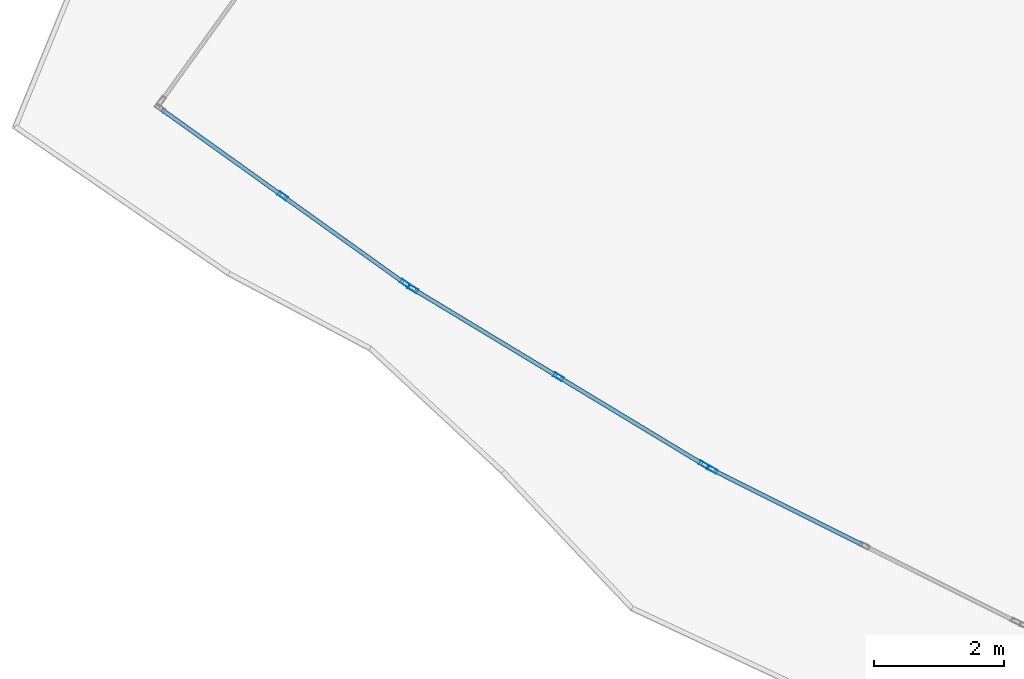
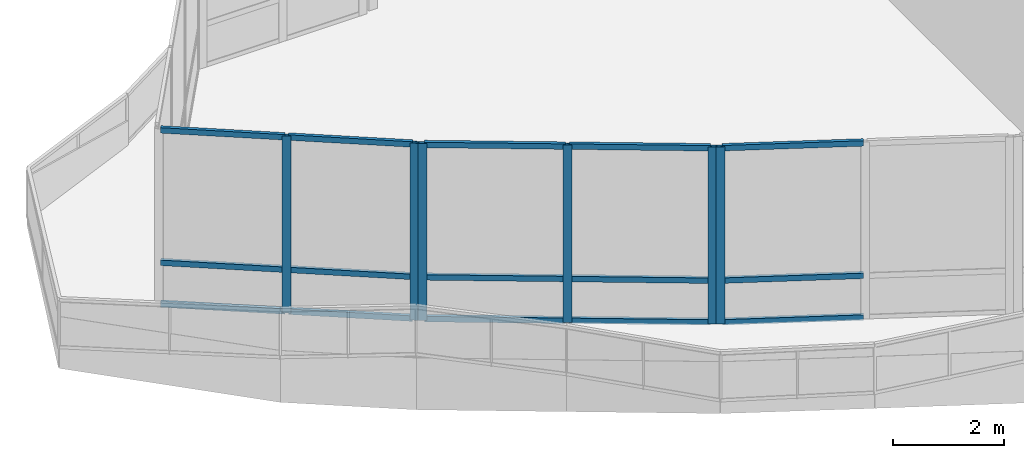
# One storey, part 12 of 184: 21 members, 3 elements without a shape of their own.
"""IFC4 building model written with IfcOpenShell, lengths in metres."""

from ifc_helpers import new_model, si_unit, direction, frame, origin, origin_2d, place, context, subcontext, project, spatial, hollow_rectangle, extrude, material, material_profile, profile_set, type_object, element, aggregate, save


model = new_model("IFC4")

# Units and contexts
model_context = context("Model", 3, precision=1e-05, world=origin(), true_north=direction((0.0, 1.0)))
body_context = subcontext(model_context, "Body", "Model", "MODEL_VIEW")
ifc_project = project(units=[si_unit("LENGTHUNIT", "METRE"), si_unit("AREAUNIT", "SQUARE_METRE"), si_unit("VOLUMEUNIT", "CUBIC_METRE"), si_unit("PLANEANGLEUNIT", "RADIAN"), si_unit("MASSUNIT", "GRAM", prefix="KILO")], contexts=[model_context])

# Site, building, storey
site_placement = place(None, origin())
site = spatial("IfcSite", under=ifc_project, at=site_placement, CompositionType="ELEMENT")
building_placement = place(site_placement, origin())
building = spatial("IfcBuilding", under=site, at=building_placement, Name="Selatvlak General Hospital", CompositionType="ELEMENT")
storey_placement = place(building_placement, frame((0.0, 0.0, 15.0)))
storey = spatial("IfcBuildingStorey", under=building, at=storey_placement, Name="L03", CompositionType="ELEMENT", Elevation=15.0)

# Curtain wall, member
ifc_material_1 = material(Name="Solar-control Low-E double glazing", Category="glass")
curtain_wall_type_1 = type_object("IfcCurtainWallType", Name="CW-CW-01", PredefinedType="USERDEFINED", material=ifc_material_1)
curtain_wall_1_placement = place(storey_placement, origin())
curtain_wall_1 = element("IfcCurtainWall", 1, at=curtain_wall_1_placement, inside=storey, type_object=curtain_wall_type_1, Name="Glazed facade curtain wall CW-L03-0433", ObjectType="UNITISED CURTAIN WALL", PredefinedType="USERDEFINED")
ifc_material_2 = material(Name="Dark anodised aluminium mullion", Category="aluminium")
ifc_material_profile_1 = material_profile(ifc_material_2, hollow_rectangle(XDim=0.06494140625, YDim=0.159912109375, WallThickness=0.00390625, at=origin_2d()), Name="AL-MUL 65x160x4")
ifc_profile_set_1 = profile_set([ifc_material_profile_1], Name="Dark anodised aluminium mullion")
member_type_1 = type_object("IfcMemberType", Name="CWM-01", PredefinedType="MULLION", material=ifc_profile_set_1)
member_1_placement = place(storey_placement, frame((23.43603515625, 20.37548828125, 0.0), z_axis=(0.0, 0.0, 1.0), x_axis=(-0.44759190875, -0.894237934345, 0.0)))
member_1 = element("IfcMember", 2, at=member_1_placement, type_object=member_type_1, Name="CW-01 mullion 3", PredefinedType="MULLION", context=body_context, shape_type="SweptSolid", body=[
    extrude(hollow_rectangle(XDim=0.06494140625, YDim=0.159912109375, WallThickness=0.00390625, at=origin_2d()), origin(), (0.0, 0.0, 1.0), 3.89501953125),
])

# Curtain wall, members
curtain_wall_type_2 = type_object("IfcCurtainWallType", Name="CW-CW-02", PredefinedType="USERDEFINED", material=ifc_material_1)
curtain_wall_2_placement = place(storey_placement, origin())
curtain_wall_2 = element("IfcCurtainWall", 3, at=curtain_wall_2_placement, inside=storey, type_object=curtain_wall_type_2, Name="Glazed facade curtain wall CW-L03-0434", ObjectType="UNITISED CURTAIN WALL", PredefinedType="USERDEFINED")
member_2_placement = place(storey_placement, frame((23.310302734375, 20.44775390625, 0.0), z_axis=(0.0, 0.0, 1.0), x_axis=(-0.517412897815, -0.855735878163, 0.0)))
member_2 = element("IfcMember", 4, at=member_2_placement, type_object=member_type_1, Name="CW-02 mullion 1", PredefinedType="MULLION", context=body_context, shape_type="SweptSolid", body=[
    extrude(hollow_rectangle(XDim=0.06494140625, YDim=0.159912109375, WallThickness=0.00390625, at=origin_2d()), origin(), (0.0, 0.0, 1.0), 3.89501953125),
])
member_3_placement = place(storey_placement, frame((21.075439453125, 21.799072265625, 0.0), z_axis=(0.0, 0.0, 1.0), x_axis=(-0.517412897815, -0.855735878163, 0.0)))
member_3 = element("IfcMember", 5, at=member_3_placement, type_object=member_type_1, Name="CW-02 mullion 2", PredefinedType="MULLION", context=body_context, shape_type="SweptSolid", body=[
    extrude(hollow_rectangle(XDim=0.06494140625, YDim=0.159912109375, WallThickness=0.00390625, at=origin_2d()), origin(), (0.0, 0.0, 1.0), 3.89501953125),
])
member_4_placement = place(storey_placement, frame((18.8408203125, 23.150146484375, 0.0), z_axis=(0.0, 0.0, 1.0), x_axis=(-0.517412897815, -0.855735878163, 0.0)))
member_4 = element("IfcMember", 6, at=member_4_placement, type_object=member_type_1, Name="CW-02 mullion 3", PredefinedType="MULLION", context=body_context, shape_type="SweptSolid", body=[
    extrude(hollow_rectangle(XDim=0.06494140625, YDim=0.159912109375, WallThickness=0.00390625, at=origin_2d()), origin(), (0.0, 0.0, 1.0), 3.89501953125),
])

curtain_wall_3_placement = place(storey_placement, origin())
curtain_wall_3 = element("IfcCurtainWall", 7, at=curtain_wall_3_placement, inside=storey, type_object=curtain_wall_type_1, Name="Glazed facade curtain wall CW-L03-0435", ObjectType="UNITISED CURTAIN WALL", PredefinedType="USERDEFINED")
member_5_placement = place(storey_placement, frame((18.720458984375, 23.23193359375, 0.0), z_axis=(0.0, 0.0, 1.0), x_axis=(-0.581802726189, -0.813329937847, 0.0)))
member_5 = element("IfcMember", 8, at=member_5_placement, type_object=member_type_1, Name="CW-01 mullion 1", PredefinedType="MULLION", context=body_context, shape_type="SweptSolid", body=[
    extrude(hollow_rectangle(XDim=0.06494140625, YDim=0.159912109375, WallThickness=0.00390625, at=origin_2d()), origin(), (0.0, 0.0, 1.0), 3.89501953125),
])
member_6_placement = place(storey_placement, frame((16.839599609375, 24.577392578125, 0.0), z_axis=(0.0, 0.0, 1.0), x_axis=(-0.581802726189, -0.813329937847, 0.0)))
member_6 = element("IfcMember", 9, at=member_6_placement, type_object=member_type_1, Name="CW-01 mullion 2", PredefinedType="MULLION", context=body_context, shape_type="SweptSolid", body=[
    extrude(hollow_rectangle(XDim=0.06494140625, YDim=0.159912109375, WallThickness=0.00390625, at=origin_2d()), origin(), (0.0, 0.0, 1.0), 3.89501953125),
])

# Member
ifc_material_profile_2 = material_profile(ifc_material_2, hollow_rectangle(XDim=0.06494140625, YDim=0.1201171875, WallThickness=0.00390625, at=origin_2d()), Name="AL-TRN 65x120x4")
ifc_profile_set_2 = profile_set([ifc_material_profile_2], Name="Dark anodised aluminium mullion")
member_type_2 = type_object("IfcMemberType", Name="CWT-01", PredefinedType="USERDEFINED", material=ifc_profile_set_2)
member_7_placement = place(storey_placement, frame((25.741455078125, 19.221435546875, 0.032470703125), z_axis=(-0.894235295067, 0.44759718169, 0.0), x_axis=(-0.44759718169, -0.894235295067, 0.0)))
member_7 = element("IfcMember", 10, at=member_7_placement, type_object=member_type_2, Name="CW-01 transom 2.1", ObjectType="TRANSOM", PredefinedType="USERDEFINED", context=body_context, shape_type="SweptSolid", body=[
    extrude(hollow_rectangle(XDim=0.06494140625, YDim=0.1201171875, WallThickness=0.00390625, at=origin_2d()), origin(), (0.0, 0.0, 1.0), 2.545654296875),
])

member_8_placement = place(storey_placement, frame((25.741455078125, 19.221435546875, 0.949951171875), z_axis=(-0.894235295067, 0.44759718169, 0.0), x_axis=(-0.44759718169, -0.894235295067, 0.0)))
member_8 = element("IfcMember", 11, at=member_8_placement, type_object=member_type_2, Name="CW-01 transom 2.2", ObjectType="TRANSOM", PredefinedType="USERDEFINED", context=body_context, shape_type="SweptSolid", body=[
    extrude(hollow_rectangle(XDim=0.06494140625, YDim=0.1201171875, WallThickness=0.00390625, at=origin_2d()), origin(), (0.0, 0.0, 1.0), 2.545654296875),
])

member_9_placement = place(storey_placement, frame((25.741455078125, 19.221435546875, 3.862548828125), z_axis=(-0.894235295067, 0.44759718169, 0.0), x_axis=(-0.44759718169, -0.894235295067, 0.0)))
member_9 = element("IfcMember", 12, at=member_9_placement, type_object=member_type_2, Name="CW-01 transom 2.3", ObjectType="TRANSOM", PredefinedType="USERDEFINED", context=body_context, shape_type="SweptSolid", body=[
    extrude(hollow_rectangle(XDim=0.06494140625, YDim=0.1201171875, WallThickness=0.00390625, at=origin_2d()), origin(), (0.0, 0.0, 1.0), 2.545654296875),
])

aggregate(curtain_wall_1, [member_1, member_7, member_8, member_9])

member_10_placement = place(storey_placement, frame((23.282470703125, 20.464599609375, 0.032470703125), z_axis=(-0.85573691943, 0.517411175685, 0.0), x_axis=(-0.517411175685, -0.85573691943, 0.0)))
member_10 = element("IfcMember", 13, at=member_10_placement, type_object=member_type_2, Name="CW-02 transom 1.1", ObjectType="TRANSOM", PredefinedType="USERDEFINED", context=body_context, shape_type="SweptSolid", body=[
    extrude(hollow_rectangle(XDim=0.06494140625, YDim=0.1201171875, WallThickness=0.00390625, at=origin_2d()), origin(), (0.0, 0.0, 1.0), 2.546630859375),
])

member_11_placement = place(storey_placement, frame((23.282470703125, 20.464599609375, 0.949951171875), z_axis=(-0.85573691943, 0.517411175685, 0.0), x_axis=(-0.517411175685, -0.85573691943, 0.0)))
member_11 = element("IfcMember", 14, at=member_11_placement, type_object=member_type_2, Name="CW-02 transom 1.2", ObjectType="TRANSOM", PredefinedType="USERDEFINED", context=body_context, shape_type="SweptSolid", body=[
    extrude(hollow_rectangle(XDim=0.06494140625, YDim=0.1201171875, WallThickness=0.00390625, at=origin_2d()), origin(), (0.0, 0.0, 1.0), 2.546630859375),
])

member_12_placement = place(storey_placement, frame((23.282470703125, 20.464599609375, 3.862548828125), z_axis=(-0.85573691943, 0.517411175685, 0.0), x_axis=(-0.517411175685, -0.85573691943, 0.0)))
member_12 = element("IfcMember", 15, at=member_12_placement, type_object=member_type_2, Name="CW-02 transom 1.3", ObjectType="TRANSOM", PredefinedType="USERDEFINED", context=body_context, shape_type="SweptSolid", body=[
    extrude(hollow_rectangle(XDim=0.06494140625, YDim=0.1201171875, WallThickness=0.00390625, at=origin_2d()), origin(), (0.0, 0.0, 1.0), 2.546630859375),
])

member_13_placement = place(storey_placement, frame((21.047607421875, 21.81591796875, 0.032470703125), z_axis=(-0.855753703596, 0.517383415642, 0.0), x_axis=(-0.517383415642, -0.855753703596, 0.0)))
member_13 = element("IfcMember", 16, at=member_13_placement, type_object=member_type_2, Name="CW-02 transom 2.1", ObjectType="TRANSOM", PredefinedType="USERDEFINED", context=body_context, shape_type="SweptSolid", body=[
    extrude(hollow_rectangle(XDim=0.06494140625, YDim=0.1201171875, WallThickness=0.00390625, at=origin_2d()), origin(), (0.0, 0.0, 1.0), 2.546142578125),
])

member_14_placement = place(storey_placement, frame((21.047607421875, 21.81591796875, 0.949951171875), z_axis=(-0.855753703596, 0.517383415642, 0.0), x_axis=(-0.517383415642, -0.855753703596, 0.0)))
member_14 = element("IfcMember", 17, at=member_14_placement, type_object=member_type_2, Name="CW-02 transom 2.2", ObjectType="TRANSOM", PredefinedType="USERDEFINED", context=body_context, shape_type="SweptSolid", body=[
    extrude(hollow_rectangle(XDim=0.06494140625, YDim=0.1201171875, WallThickness=0.00390625, at=origin_2d()), origin(), (0.0, 0.0, 1.0), 2.546142578125),
])

member_15_placement = place(storey_placement, frame((21.047607421875, 21.81591796875, 3.862548828125), z_axis=(-0.855753703596, 0.517383415642, 0.0), x_axis=(-0.517383415642, -0.855753703596, 0.0)))
member_15 = element("IfcMember", 18, at=member_15_placement, type_object=member_type_2, Name="CW-02 transom 2.3", ObjectType="TRANSOM", PredefinedType="USERDEFINED", context=body_context, shape_type="SweptSolid", body=[
    extrude(hollow_rectangle(XDim=0.06494140625, YDim=0.1201171875, WallThickness=0.00390625, at=origin_2d()), origin(), (0.0, 0.0, 1.0), 2.546142578125),
])

aggregate(curtain_wall_2, [member_2, member_3, member_4, member_10, member_11, member_12, member_13, member_14, member_15])

member_16_placement = place(storey_placement, frame((18.694091796875, 23.250732421875, 0.032470703125), z_axis=(-0.81330025791, 0.581844214961, 0.0), x_axis=(-0.581844214961, -0.81330025791, 0.0)))
member_16 = element("IfcMember", 19, at=member_16_placement, type_object=member_type_2, Name="CW-01 transom 1.1", ObjectType="TRANSOM", PredefinedType="USERDEFINED", context=body_context, shape_type="SweptSolid", body=[
    extrude(hollow_rectangle(XDim=0.06494140625, YDim=0.1201171875, WallThickness=0.00390625, at=origin_2d()), origin(), (0.0, 0.0, 1.0), 2.247802734375),
])

member_17_placement = place(storey_placement, frame((18.694091796875, 23.250732421875, 0.949951171875), z_axis=(-0.81330025791, 0.581844214961, 0.0), x_axis=(-0.581844214961, -0.81330025791, 0.0)))
member_17 = element("IfcMember", 20, at=member_17_placement, type_object=member_type_2, Name="CW-01 transom 1.2", ObjectType="TRANSOM", PredefinedType="USERDEFINED", context=body_context, shape_type="SweptSolid", body=[
    extrude(hollow_rectangle(XDim=0.06494140625, YDim=0.1201171875, WallThickness=0.00390625, at=origin_2d()), origin(), (0.0, 0.0, 1.0), 2.247802734375),
])

member_18_placement = place(storey_placement, frame((18.694091796875, 23.250732421875, 3.862548828125), z_axis=(-0.81330025791, 0.581844214961, 0.0), x_axis=(-0.581844214961, -0.81330025791, 0.0)))
member_18 = element("IfcMember", 21, at=member_18_placement, type_object=member_type_2, Name="CW-01 transom 1.3", ObjectType="TRANSOM", PredefinedType="USERDEFINED", context=body_context, shape_type="SweptSolid", body=[
    extrude(hollow_rectangle(XDim=0.06494140625, YDim=0.1201171875, WallThickness=0.00390625, at=origin_2d()), origin(), (0.0, 0.0, 1.0), 2.247802734375),
])

member_19_placement = place(storey_placement, frame((16.81298828125, 24.596435546875, 0.032470703125), z_axis=(-0.81330025791, 0.581844214961, 0.0), x_axis=(-0.581844214961, -0.81330025791, 0.0)))
member_19 = element("IfcMember", 22, at=member_19_placement, type_object=member_type_2, Name="CW-01 transom 2.1", ObjectType="TRANSOM", PredefinedType="USERDEFINED", context=body_context, shape_type="SweptSolid", body=[
    extrude(hollow_rectangle(XDim=0.06494140625, YDim=0.1201171875, WallThickness=0.00390625, at=origin_2d()), origin(), (0.0, 0.0, 1.0), 2.247802734375),
])

member_20_placement = place(storey_placement, frame((16.81298828125, 24.596435546875, 0.949951171875), z_axis=(-0.81330025791, 0.581844214961, 0.0), x_axis=(-0.581844214961, -0.81330025791, 0.0)))
member_20 = element("IfcMember", 23, at=member_20_placement, type_object=member_type_2, Name="CW-01 transom 2.2", ObjectType="TRANSOM", PredefinedType="USERDEFINED", context=body_context, shape_type="SweptSolid", body=[
    extrude(hollow_rectangle(XDim=0.06494140625, YDim=0.1201171875, WallThickness=0.00390625, at=origin_2d()), origin(), (0.0, 0.0, 1.0), 2.247802734375),
])

member_21_placement = place(storey_placement, frame((16.81298828125, 24.596435546875, 3.862548828125), z_axis=(-0.81330025791, 0.581844214961, 0.0), x_axis=(-0.581844214961, -0.81330025791, 0.0)))
member_21 = element("IfcMember", 24, at=member_21_placement, type_object=member_type_2, Name="CW-01 transom 2.3", ObjectType="TRANSOM", PredefinedType="USERDEFINED", context=body_context, shape_type="SweptSolid", body=[
    extrude(hollow_rectangle(XDim=0.06494140625, YDim=0.1201171875, WallThickness=0.00390625, at=origin_2d()), origin(), (0.0, 0.0, 1.0), 2.247802734375),
])

aggregate(curtain_wall_3, [member_5, member_6, member_16, member_17, member_18, member_19, member_20, member_21])

save(model, "model.ifc")
